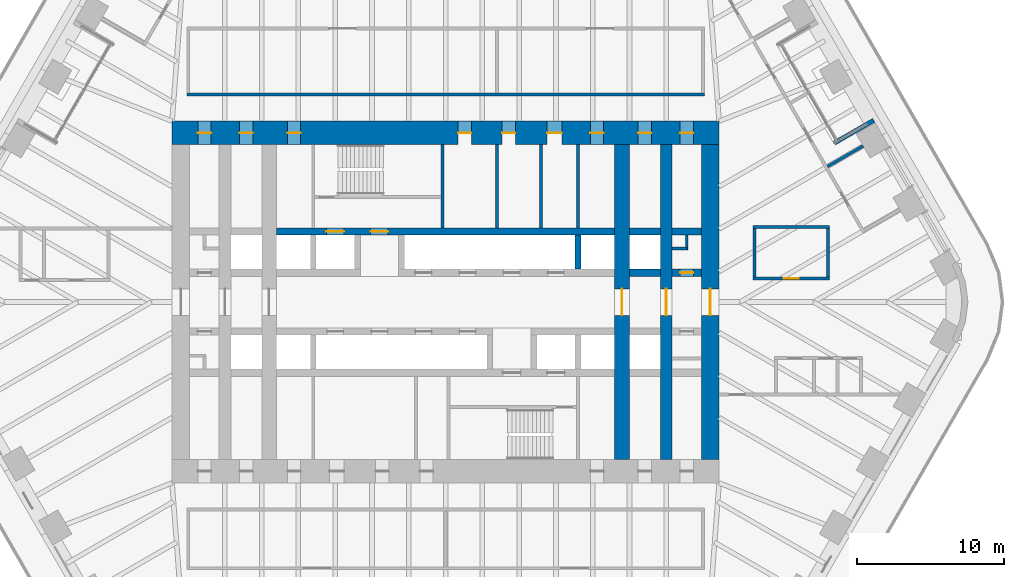
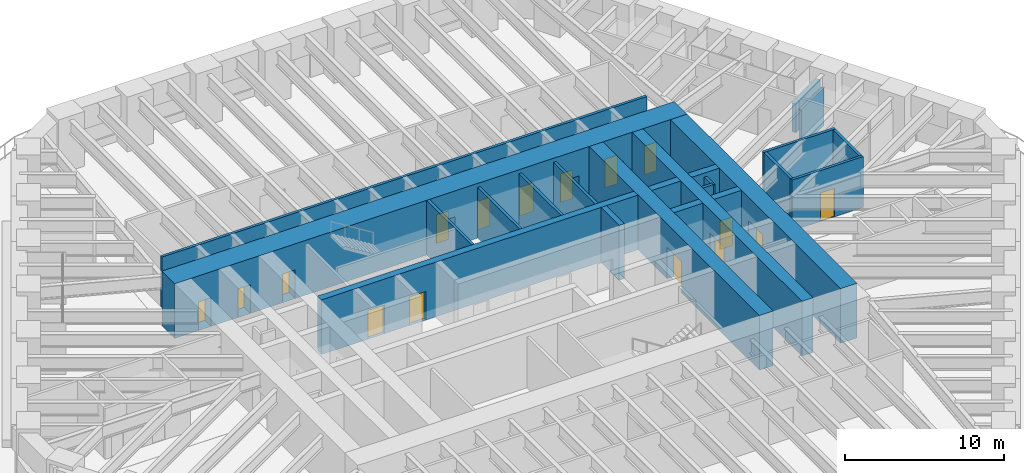
# One storey, part 15 of 19: 23 walls, 16 doors, 16 openings.
"""IFC4 building model written with IfcOpenShell, lengths in metres."""

import ifcopenshell
import ifcopenshell.guid

model = None  # the IFC model being written
_history = None  # IfcOwnerHistory: only IFC2X3 demands one
_inside = {}  # id of a spatial element -> (the spatial element, [elements in it])
_under = {}  # id of a project, library or spatial element -> (it, [spatial elements below it])
_declared = {}  # id of a project -> (the project, [libraries it declares])
_typed = {}  # id of a type object -> (the type object, [elements of that type])
_made_of = {}  # id of a material, layer set ... -> (it, [elements and type objects made of it])


def new_model(schema):
    """Start an empty IFC model of exactly this schema.

    Asked for "IFC4X3", IfcOpenShell would pick the latest addendum, in which some entities
    have other attributes; the version numbers below select the first issue.
    IFC2X3 requires an IfcOwnerHistory on every rooted entity: one is made here for all.
    """
    global model, _history
    if schema == "IFC4X3":
        model = ifcopenshell.file(schema_version=(4, 3, 0, 0))
    else:
        model = ifcopenshell.file(schema=schema)
    _inside.clear()
    _under.clear()
    _declared.clear()
    _typed.clear()
    _made_of.clear()
    _history = None
    if model.schema == "IFC2X3":
        org = make("IfcOrganization", Name="unknown")
        user = make(
            "IfcPersonAndOrganization",
            ThePerson=make("IfcPerson", FamilyName="unknown"),
            TheOrganization=org,
        )
        app = make(
            "IfcApplication",
            ApplicationDeveloper=org,
            Version="unknown",
            ApplicationFullName="unknown",
            ApplicationIdentifier="unknown",
        )
        _history = make(
            "IfcOwnerHistory",
            OwningUser=user,
            OwningApplication=app,
            ChangeAction="ADDED",
            CreationDate=0,
        )
    return model


def make(cls, **values):
    """One entity of the class cls with the attributes given. An attribute that is None is left unset."""
    return model.create_entity(
        cls, **{name: value for name, value in values.items() if value is not None}
    )


def rooted(cls, **values):
    """An entity with a GlobalId (a new one), such as an element, a storey or a relation."""
    return make(cls, GlobalId=ifcopenshell.guid.new(), OwnerHistory=_history, **values)


def si_unit(unit_type, name, prefix=None):
    """IfcSIUnit, for example si_unit("LENGTHUNIT", "METRE", prefix="MILLI")."""
    return make("IfcSIUnit", UnitType=unit_type, Prefix=prefix, Name=name)


def assignment(units):
    """IfcUnitAssignment: the units of a project."""
    return None if units is None else make("IfcUnitAssignment", Units=units)


def point(xyz):
    """IfcCartesianPoint."""
    return None if xyz is None else make("IfcCartesianPoint", Coordinates=xyz)


def direction(xyz):
    """IfcDirection."""
    return None if xyz is None else make("IfcDirection", DirectionRatios=xyz)


def frame(location, z_axis=None, x_axis=None):
    """IfcAxis2Placement3D, a coordinate frame: its origin and axes. An axis left out is left unset."""
    return make(
        "IfcAxis2Placement3D",
        Location=point(location),
        Axis=direction(z_axis),
        RefDirection=direction(x_axis),
    )


def frame_2d(location, x_axis=None):
    """IfcAxis2Placement2D, a coordinate frame in the plane: its origin and x axis."""
    return make(
        "IfcAxis2Placement2D", Location=point(location), RefDirection=direction(x_axis)
    )


def origin():
    """The frame at (0, 0, 0) with its axes left unset."""
    return frame((0.0, 0.0, 0.0))


def place(relative_to, where):
    """IfcLocalPlacement: puts the frame where relative to a parent placement (None: the world)."""
    return make(
        "IfcLocalPlacement", PlacementRelTo=relative_to, RelativePlacement=where
    )


def context(
    kind, dimensions, precision=None, world=None, true_north=None, identifier=None
):
    """IfcGeometricRepresentationContext, for example the 3D "Model" context."""
    return make(
        "IfcGeometricRepresentationContext",
        ContextIdentifier=identifier,
        ContextType=kind,
        CoordinateSpaceDimension=dimensions,
        Precision=precision,
        WorldCoordinateSystem=world,
        TrueNorth=true_north,
    )


def subcontext(parent, identifier, kind, view, scale=None):
    """IfcGeometricRepresentationSubContext, for example "Body" below "Model"."""
    return make(
        "IfcGeometricRepresentationSubContext",
        ContextIdentifier=identifier,
        ContextType=kind,
        ParentContext=parent,
        TargetScale=scale,
        TargetView=view,
    )


def project(units=None, contexts=None):
    """IfcProject with its units and contexts."""
    return rooted(
        "IfcProject",
        Name="project",
        RepresentationContexts=contexts,
        UnitsInContext=assignment(units),
    )


def spatial(cls, under=None, at=None, **own):
    """A site, building, storey or space (cls), placed at a placement, below another one or the project."""
    s = rooted(cls, ObjectPlacement=at, **own)
    if under is not None:
        _under.setdefault(under.id(), (under, []))[1].append(s)
    return s


def profile(cls, at=None, kind="AREA", **sizes):
    """A parametric profile (cls). Its sizes go by their IFC names, for example OverallWidth=200.0."""
    return make(cls, ProfileType=kind, Position=at, **sizes)


def rectangle(**sizes):
    """IfcRectangleProfileDef."""
    return profile("IfcRectangleProfileDef", **sizes)


def extrude(swept, where, along, depth):
    """IfcExtrudedAreaSolid: the profile swept, set in the frame where, extruded along a direction by depth."""
    return make(
        "IfcExtrudedAreaSolid",
        SweptArea=swept,
        Position=where,
        ExtrudedDirection=direction(along),
        Depth=depth,
    )


def shape(context_of_items, identifier, shape_type, items):
    """IfcShapeRepresentation: the items that make up one representation, for example the "Body"."""
    return make(
        "IfcShapeRepresentation",
        ContextOfItems=context_of_items,
        RepresentationIdentifier=identifier,
        RepresentationType=shape_type,
        Items=items,
    )


def material(Name=None, Category=None):
    """IfcMaterial."""
    return make("IfcMaterial", Name=Name, Category=Category)


def layer(
    of_material, thickness, ventilated=None, Name=None, Category=None, Priority=None
):
    """IfcMaterialLayer: one layer of a wall or slab, of a material (None: an air gap)."""
    return make(
        "IfcMaterialLayer",
        Material=of_material,
        LayerThickness=thickness,
        IsVentilated=ventilated,
        Name=Name,
        Category=Category,
        Priority=Priority,
    )


def layer_set(layers, Name=None):
    """IfcMaterialLayerSet."""
    return make("IfcMaterialLayerSet", MaterialLayers=layers, LayerSetName=Name)


def made_of(thing, what):
    """Note that an element or type object is made of a material, layer set ...; save() writes the relation."""
    if what is not None:
        _made_of.setdefault(what.id(), (what, []))[1].append(thing)
    return thing


def type_object(cls, material=None, **own):
    """A type object (cls), such as IfcWallType, which elements share."""
    return made_of(rooted(cls, **own), material)


def element(
    cls,
    number,
    at=None,
    inside=None,
    cuts=None,
    type_object=None,
    material=None,
    context=None,
    identifier="Body",
    shape_type=None,
    held_by="IfcProductDefinitionShape",
    body=None,
    shapes=None,
    **own,
):
    """One element of the class cls, such as IfcWall. Its Tag is "e" and its number.

    at: its placement. inside: the storey or other place that contains it. cuts: it is an
    opening in that element (IfcRelVoidsElement). A single representation is given by context,
    identifier, shape_type and body (its items); several are given by shapes. held_by: the class
    of the entity that holds the representations. save() writes the other relations.
    """
    e = rooted(cls, Tag="e%d" % number, ObjectPlacement=at, **own)
    if body is not None:
        shapes = [shape(context, identifier, shape_type, body)]
    if shapes is not None:
        e.Representation = make(held_by, Representations=shapes)
    if inside is not None:
        _inside.setdefault(inside.id(), (inside, []))[1].append(e)
    if cuts is not None:
        rooted(
            "IfcRelVoidsElement", RelatingBuildingElement=cuts, RelatedOpeningElement=e
        )
    if type_object is not None:
        _typed.setdefault(type_object.id(), (type_object, []))[1].append(e)
    return made_of(e, material)


def fill(opening, filler):
    """IfcRelFillsElement: the door or window that sits in an opening."""
    return rooted(
        "IfcRelFillsElement",
        RelatingOpeningElement=opening,
        RelatedBuildingElement=filler,
    )


def aggregate(whole, parts):
    """IfcRelAggregates: a whole, such as a stair, and the parts it consists of."""
    return rooted("IfcRelAggregates", RelatingObject=whole, RelatedObjects=parts)


def save(model, path):
    """Write the relations noted so far, then the file.

    IfcRelAggregates (storeys below a building ...), IfcRelContainedInSpatialStructure (elements
    in a storey), IfcRelDefinesByType, IfcRelAssociatesMaterial and IfcRelDeclares: one each for
    every whole, place, type object, material and project.
    """
    for whole, parts in _under.values():
        aggregate(whole, parts)
    for where, things in _inside.values():
        rooted(
            "IfcRelContainedInSpatialStructure",
            RelatedElements=things,
            RelatingStructure=where,
        )
    for kind, things in _typed.values():
        rooted("IfcRelDefinesByType", RelatedObjects=things, RelatingType=kind)
    for what, things in _made_of.values():
        rooted("IfcRelAssociatesMaterial", RelatedObjects=things, RelatingMaterial=what)
    for by, libraries in _declared.values():
        rooted("IfcRelDeclares", RelatingContext=by, RelatedDefinitions=libraries)
    model.write(path)


model = new_model("IFC4")

# Units and contexts
model_context = context("Model", 3, precision=1e-05, world=origin(), true_north=direction((0.0, 1.0)))
body_context = subcontext(model_context, "Body", "Model", "MODEL_VIEW")
ifc_project = project(units=[si_unit("LENGTHUNIT", "METRE"), si_unit("AREAUNIT", "SQUARE_METRE"), si_unit("VOLUMEUNIT", "CUBIC_METRE"), si_unit("PLANEANGLEUNIT", "RADIAN"), si_unit("MASSUNIT", "GRAM", prefix="KILO")], contexts=[model_context])

# Site, building, storey
site_placement = place(None, origin())
site = spatial("IfcSite", under=ifc_project, at=site_placement, CompositionType="ELEMENT")
building_placement = place(site_placement, origin())
building = spatial("IfcBuilding", under=site, at=building_placement, Name="Tarfa Lantern Tower", CompositionType="ELEMENT")
storey_placement = place(building_placement, frame((0.0, 0.0, 199.300048828125)))
storey = spatial("IfcBuildingStorey", under=building, at=storey_placement, Name="L45", CompositionType="ELEMENT", Elevation=199.300048828125)

# Walls
ifc_material_1 = material(Name="Limestone cladding on blockwork", Category="masonry")
ifc_layer_1 = layer(ifc_material_1, 0.300048828125)
ifc_layer_set_1 = layer_set([ifc_layer_1], Name="EW1 STONE-CLAD WALL 300")
wall_type_1 = type_object("IfcWallType", Name="EW1 STONE-CLAD WALL 300", PredefinedType="SOLIDWALL", material=ifc_layer_set_1)
wall_1_placement = place(storey_placement, frame((29.1201171875, 12.362548828125, 0.0), z_axis=(0.0, 0.0, 1.0), x_axis=(-0.86602952684, -0.49999285859, 0.0)))
element("IfcWall", 1, at=wall_1_placement, inside=storey, type_object=wall_type_1, Name="Loggia return NE 1", PredefinedType="SOLIDWALL", context=body_context, shape_type="SweptSolid", body=[
    extrude(rectangle(XDim=3.10009765625, YDim=0.300048828125, at=frame_2d((1.550048828125, 0.0))), origin(), (0.0, 0.0, 1.0), 2.199951171875),
])
ifc_material_2 = material(Name="Concrete blockwork", Category="masonry")
ifc_layer_2 = layer(ifc_material_2, 0.199951171875)
ifc_layer_set_2 = layer_set([ifc_layer_2], Name="IW1 BLOCKWORK PARTITION 200 EI 120")
wall_type_2 = type_object("IfcWallType", Name="IW1 BLOCKWORK PARTITION 200 EI 120", PredefinedType="PARTITIONING", material=ifc_layer_set_2)
for number, where, z_axis, x_axis, name in (
    (2, (9.0, 5.050048828125, 0.0), (0.0, 0.0, 1.0), (0.0, 1.0, 0.0), "Core partition"),
    (3, (3.5, 5.050048828125, 0.0), (0.0, 0.0, 1.0), (0.0, 1.0, 0.0), "Core partition"),
    (4, (6.5, 5.050048828125, 0.0), (0.0, 0.0, 1.0), (0.0, 1.0, 0.0), "Core partition"),
):
    element("IfcWall", number, at=place(storey_placement, frame(where, z_axis=z_axis, x_axis=x_axis)), inside=storey, type_object=wall_type_2, Name=name, PredefinedType="PARTITIONING", context=body_context, shape_type="SweptSolid", body=[
        extrude(rectangle(XDim=5.64990234375, YDim=0.199951171875, at=frame_2d((2.824951171875, 0.0))), origin(), (0.0, 0.0, 1.0), 3.89990234375),
    ])
for number, where, z_axis, x_axis, name in (
    (5, (15.39990234375, 3.64990234375, 0.0), (0.0, 0.0, 1.0), (1.0, 0.0, 0.0), "Core partition"),
    (6, (16.39990234375, 3.550048828125, 0.0), (0.0, 0.0, 1.0), (0.0, 1.0, 0.0), "Core partition"),
):
    element("IfcWall", number, at=place(storey_placement, frame(where, z_axis=z_axis, x_axis=x_axis)), inside=storey, type_object=wall_type_2, Name=name, PredefinedType="PARTITIONING", context=body_context, shape_type="SweptSolid", body=[
        extrude(rectangle(XDim=1.0, YDim=0.199951171875, at=frame_2d((0.5, 0.0))), origin(), (0.0, 0.0, 1.0), 3.89990234375),
    ])
ifc_material_3 = material(Name="Gypsum board on steel studs", Category="steel")
ifc_layer_3 = layer(ifc_material_3, 0.2099609375)
ifc_layer_set_3 = layer_set([ifc_layer_3], Name="IW2 ACOUSTIC PARTITION 200")
wall_type_3 = type_object("IfcWallType", Name="IW2 ACOUSTIC PARTITION 200", PredefinedType="PARTITIONING", material=ifc_layer_set_3)
wall_2_placement = place(storey_placement, frame((-17.60009765625, 14.10009765625, 0.0), z_axis=(0.0, 0.0, 1.0), x_axis=(1.0, 0.0, 0.0)))
element("IfcWall", 7, at=wall_2_placement, inside=storey, type_object=wall_type_3, Name="Partition", PredefinedType="PARTITIONING", context=body_context, shape_type="SweptSolid", body=[
    extrude(rectangle(XDim=35.2001953125, YDim=0.199951171875, at=frame_2d((17.60009765625, 0.0))), origin(), (0.0, 0.0, 1.0), 3.89990234375),
])
wall_3_placement = place(storey_placement, frame((25.97119140625, 9.216552734375, 0.0), z_axis=(0.0, 0.0, 1.0), x_axis=(0.865996816683, 0.500049511043, 0.0)))
element("IfcWall", 8, at=wall_3_placement, inside=storey, type_object=wall_type_3, Name="Partition", PredefinedType="PARTITIONING", context=body_context, shape_type="SweptSolid", body=[
    extrude(rectangle(XDim=2.800048828125, YDim=0.199951171875, at=frame_2d((1.39990234375, 0.0))), origin(), (0.0, 0.0, 1.0), 2.891845703125),
])

# Wall, opening, door
wall_4_placement = place(storey_placement, frame((20.89990234375, 1.60009765625, 0.0), z_axis=(0.0, 0.0, 1.0), x_axis=(1.0, 0.0, 0.0)))
wall_4 = element("IfcWall", 9, at=wall_4_placement, inside=storey, type_object=wall_type_3, Name="Partition", PredefinedType="PARTITIONING", context=body_context, shape_type="SweptSolid", body=[
    extrude(rectangle(XDim=5.2001953125, YDim=0.199951171875, at=frame_2d((2.60009765625, 0.0))), origin(), (0.0, 0.0, 1.0), 3.89990234375),
])
opening_1_placement = place(wall_4_placement, frame((2.10009765625, 0.0, 0.0)))
opening_1 = element("IfcOpeningElement", 10, at=opening_1_placement, cuts=wall_4, Name="Opening D33", PredefinedType="OPENING", context=body_context, shape_type="SweptSolid", body=[
    extrude(rectangle(XDim=1.0, YDim=2.199951171875, at=frame_2d((0.5, 1.10009765625))), frame((0.0, 0.10986328125, 0.0), z_axis=(0.0, -1.0, 0.0), x_axis=(1.0, 0.0, 0.0)), (0.0, 0.0, 1.0), 0.219970703125),
])
ifc_material_4 = material(Name="Timber door", Category="wood")
door_type_1 = type_object("IfcDoorType", Name="DR1 ROOM DOOR 1000x2200", OperationType="SINGLE_SWING_LEFT", PredefinedType="DOOR", material=ifc_material_4)
door_1_placement = place(opening_1_placement, origin())
door_1 = element("IfcDoor", 11, at=door_1_placement, inside=storey, type_object=door_type_1, Name="Project room door", OperationType="SINGLE_SWING_RIGHT", OverallHeight=2.199951171875, OverallWidth=1.0, PredefinedType="DOOR", context=body_context, shape_type="SweptSolid", body=[
    extrude(rectangle(XDim=1.0, YDim=2.199951171875, at=frame_2d((0.5, 1.10009765625))), frame((0.0, 0.02490234375, 0.0), z_axis=(0.0, -1.0, 0.0), x_axis=(1.0, 0.0, 0.0)), (0.0, 0.0, 1.0), 0.050048828125),
])
fill(opening_1, door_1)

# Walls
wall_5_placement = place(storey_placement, frame((20.89990234375, 5.10009765625, 0.0), z_axis=(0.0, 0.0, 1.0), x_axis=(1.0, 0.0, 0.0)))
element("IfcWall", 12, at=wall_5_placement, inside=storey, type_object=wall_type_3, Name="Partition", PredefinedType="PARTITIONING", context=body_context, shape_type="SweptSolid", body=[
    extrude(rectangle(XDim=5.2001953125, YDim=0.199951171875, at=frame_2d((2.60009765625, 0.0))), origin(), (0.0, 0.0, 1.0), 3.89990234375),
])
for number, where, z_axis, x_axis, name in (
    (13, (21.0, 1.699951171875, 0.0), (0.0, 0.0, 1.0), (0.0, 1.0, 0.0), "Partition"),
    (14, (26.0, 1.699951171875, 0.0), (0.0, 0.0, 1.0), (0.0, 1.0, 0.0), "Partition"),
):
    element("IfcWall", number, at=place(storey_placement, frame(where, z_axis=z_axis, x_axis=x_axis)), inside=storey, type_object=wall_type_3, Name=name, PredefinedType="PARTITIONING", context=body_context, shape_type="SweptSolid", body=[
        extrude(rectangle(XDim=3.300048828125, YDim=0.199951171875, at=frame_2d((1.64990234375, 0.0))), origin(), (0.0, 0.0, 1.0), 3.89990234375),
    ])

# Wall, opening, door
ifc_material_5 = material(Name="Concrete C80/95", Category="concrete")
ifc_layer_4 = layer(ifc_material_5, 1.199951171875)
ifc_layer_set_4 = layer_set([ifc_layer_4], Name="SW1 CORE WALL 1200")
wall_type_4 = type_object("IfcWallType", Name="SW1 CORE WALL 1200", PredefinedType="SHEAR", material=ifc_layer_set_4)
wall_6_placement = place(storey_placement, frame((18.0, -10.699951171875, 0.0), z_axis=(0.0, 0.0, 1.0), x_axis=(0.0, 1.0, 0.0)))
wall_6 = element("IfcWall", 15, at=wall_6_placement, inside=storey, type_object=wall_type_4, Name="Core wall E", PredefinedType="SHEAR", context=body_context, shape_type="SweptSolid", body=[
    extrude(rectangle(XDim=21.39990234375, YDim=1.199951171875, at=frame_2d((10.699951171875, 0.0))), origin(), (0.0, 0.0, 1.0), 4.199951171875),
])
opening_2_placement = place(wall_6_placement, frame((9.800048828125, 0.0, 0.0)))
opening_2 = element("IfcOpeningElement", 16, at=opening_2_placement, cuts=wall_6, Name="Opening D15", PredefinedType="OPENING", context=body_context, shape_type="SweptSolid", body=[
    extrude(rectangle(XDim=1.800048828125, YDim=2.39990234375, at=frame_2d((0.89990234375, 1.199951171875))), frame((0.0, 0.60986328125, 0.0), z_axis=(0.0, -1.0, 0.0), x_axis=(1.0, 0.0, 0.0)), (0.0, 0.0, 1.0), 1.219970703125),
])
ifc_material_6 = material(Name="Steel fire door", Category="steel")
door_type_2 = type_object("IfcDoorType", Name="DL1 LOBBY DOOR 1800x2400", OperationType="DOUBLE_DOOR_SINGLE_SWING", PredefinedType="DOOR", material=ifc_material_6)
door_2_placement = place(opening_2_placement, frame((1.800048828125, 0.0, 0.0), z_axis=(0.0, 0.0, 1.0), x_axis=(-1.0, 0.0, 0.0)))
door_2 = element("IfcDoor", 17, at=door_2_placement, inside=storey, type_object=door_type_2, Name="Lift lobby door", OperationType="DOUBLE_DOOR_SINGLE_SWING", OverallHeight=2.39990234375, OverallWidth=1.800048828125, PredefinedType="DOOR", context=body_context, shape_type="SweptSolid", body=[
    extrude(rectangle(XDim=1.800048828125, YDim=2.39990234375, at=frame_2d((0.89990234375, 1.199951171875))), frame((0.0, 0.02490234375, 0.0), z_axis=(0.0, -1.0, 0.0), x_axis=(1.0, 0.0, 0.0)), (0.0, 0.0, 1.0), 0.050048828125),
])
fill(opening_2, door_2)

ifc_layer_5 = layer(ifc_material_5, 0.800048828125)
ifc_layer_set_5 = layer_set([ifc_layer_5], Name="SW10 CORE WALL 800")
wall_type_5 = type_object("IfcWallType", Name="SW10 CORE WALL 800", PredefinedType="SHEAR", material=ifc_layer_set_5)
wall_7_placement = place(storey_placement, frame((15.0, -10.699951171875, 0.0), z_axis=(0.0, 0.0, 1.0), x_axis=(0.0, 1.0, 0.0)))
wall_7 = element("IfcWall", 18, at=wall_7_placement, inside=storey, type_object=wall_type_5, Name="Core wall cross 15 m east", PredefinedType="SHEAR", context=body_context, shape_type="SweptSolid", body=[
    extrude(rectangle(XDim=21.39990234375, YDim=0.800048828125, at=frame_2d((10.699951171875, 0.0))), origin(), (0.0, 0.0, 1.0), 4.199951171875),
])
opening_3_placement = place(wall_7_placement, frame((9.800048828125, 0.0, 0.0)))
opening_3 = element("IfcOpeningElement", 19, at=opening_3_placement, cuts=wall_7, Name="Opening D30", PredefinedType="OPENING", context=body_context, shape_type="SweptSolid", body=[
    extrude(rectangle(XDim=1.800048828125, YDim=2.39990234375, at=frame_2d((0.89990234375, 1.199951171875))), frame((0.0, 0.409912109375, 0.0), z_axis=(0.0, -1.0, 0.0), x_axis=(1.0, 0.0, 0.0)), (0.0, 0.0, 1.0), 0.820068359375),
])
door_3_placement = place(opening_3_placement, origin())
door_3 = element("IfcDoor", 20, at=door_3_placement, inside=storey, type_object=door_type_2, Name="Lift lobby door", OperationType="DOUBLE_DOOR_SINGLE_SWING", OverallHeight=2.39990234375, OverallWidth=1.800048828125, PredefinedType="DOOR", context=body_context, shape_type="SweptSolid", body=[
    extrude(rectangle(XDim=1.800048828125, YDim=2.39990234375, at=frame_2d((0.89990234375, 1.199951171875))), frame((0.0, 0.02490234375, 0.0), z_axis=(0.0, -1.0, 0.0), x_axis=(1.0, 0.0, 0.0)), (0.0, 0.0, 1.0), 0.050048828125),
])
fill(opening_3, door_3)

# Wall
ifc_layer_6 = layer(ifc_material_5, 0.199951171875)
ifc_layer_set_6 = layer_set([ifc_layer_6], Name="SW12 CORE WALL 200")
wall_type_6 = type_object("IfcWallType", Name="SW12 CORE WALL 200", PredefinedType="SHEAR", material=ifc_layer_set_6)
wall_8_placement = place(storey_placement, frame((-0.199951171875, 5.050048828125, 0.0), z_axis=(0.0, 0.0, 1.0), x_axis=(0.0, 1.0, 0.0)))
element("IfcWall", 21, at=wall_8_placement, inside=storey, type_object=wall_type_6, Name="Core wall stair shaft N", PredefinedType="SHEAR", context=body_context, shape_type="SweptSolid", body=[
    extrude(rectangle(XDim=5.64990234375, YDim=0.199951171875, at=frame_2d((2.824951171875, 0.0))), origin(), (0.0, 0.0, 1.0), 4.199951171875),
])

# Wall, opening, door
ifc_layer_7 = layer(ifc_material_5, 1.0)
ifc_layer_set_7 = layer_set([ifc_layer_7], Name="SW2 CORE WALL 1000")
wall_type_7 = type_object("IfcWallType", Name="SW2 CORE WALL 1000", PredefinedType="SHEAR", material=ifc_layer_set_7)
wall_9_placement = place(storey_placement, frame((12.0, -10.699951171875, 0.0), z_axis=(0.0, 0.0, 1.0), x_axis=(0.0, 1.0, 0.0)))
wall_9 = element("IfcWall", 22, at=wall_9_placement, inside=storey, type_object=wall_type_7, Name="Core wall cross 12 m east", PredefinedType="SHEAR", context=body_context, shape_type="SweptSolid", body=[
    extrude(rectangle(XDim=21.39990234375, YDim=1.0, at=frame_2d((10.699951171875, 0.0))), origin(), (0.0, 0.0, 1.0), 4.199951171875),
])
opening_4_placement = place(wall_9_placement, frame((9.800048828125, 0.0, 0.0)))
opening_4 = element("IfcOpeningElement", 23, at=opening_4_placement, cuts=wall_9, Name="Opening D29", PredefinedType="OPENING", context=body_context, shape_type="SweptSolid", body=[
    extrude(rectangle(XDim=1.800048828125, YDim=2.39990234375, at=frame_2d((0.89990234375, 1.199951171875))), frame((0.0, 0.510009765625, 0.0), z_axis=(0.0, -1.0, 0.0), x_axis=(1.0, 0.0, 0.0)), (0.0, 0.0, 1.0), 1.02001953125),
])
door_4_placement = place(opening_4_placement, origin())
door_4 = element("IfcDoor", 24, at=door_4_placement, inside=storey, type_object=door_type_2, Name="Lift lobby door", OperationType="DOUBLE_DOOR_SINGLE_SWING", OverallHeight=2.39990234375, OverallWidth=1.800048828125, PredefinedType="DOOR", context=body_context, shape_type="SweptSolid", body=[
    extrude(rectangle(XDim=1.800048828125, YDim=2.39990234375, at=frame_2d((0.89990234375, 1.199951171875))), frame((0.0, 0.02490234375, 0.0), z_axis=(0.0, -1.0, 0.0), x_axis=(1.0, 0.0, 0.0)), (0.0, 0.0, 1.0), 0.050048828125),
])
fill(opening_4, door_4)

# Wall
ifc_layer_8 = layer(ifc_material_5, 0.5)
ifc_layer_set_8 = layer_set([ifc_layer_8], Name="SW5 CORE WALL 500")
wall_type_8 = type_object("IfcWallType", Name="SW5 CORE WALL 500", PredefinedType="SHEAR", material=ifc_layer_set_8)
wall_10_placement = place(storey_placement, frame((12.5, 2.0, 0.0), z_axis=(0.0, 0.0, 1.0), x_axis=(1.0, 0.0, 0.0)))
element("IfcWall", 25, at=wall_10_placement, inside=storey, type_object=wall_type_8, Name="Core wall lobby east N", PredefinedType="SHEAR", context=body_context, shape_type="SweptSolid", body=[
    extrude(rectangle(XDim=2.10009765625, YDim=0.5, at=frame_2d((1.050048828125, 0.0))), origin(), (0.0, 0.0, 1.0), 4.199951171875),
])

# Wall, opening, door
wall_11_placement = place(storey_placement, frame((15.39990234375, 2.0, 0.0), z_axis=(0.0, 0.0, 1.0), x_axis=(1.0, 0.0, 0.0)))
wall_11 = element("IfcWall", 26, at=wall_11_placement, inside=storey, type_object=wall_type_8, Name="Core wall lobby east N", PredefinedType="SHEAR", context=body_context, shape_type="SweptSolid", body=[
    extrude(rectangle(XDim=2.0, YDim=0.5, at=frame_2d((1.0, 0.0))), origin(), (0.0, 0.0, 1.0), 4.199951171875),
])
opening_5_placement = place(wall_11_placement, frame((0.550048828125, 0.0, 0.0)))
opening_5 = element("IfcOpeningElement", 27, at=opening_5_placement, cuts=wall_11, Name="Opening D17", PredefinedType="OPENING", context=body_context, shape_type="SweptSolid", body=[
    extrude(rectangle(XDim=0.89990234375, YDim=2.199951171875, at=frame_2d((0.449951171875, 1.10009765625))), frame((0.0, 0.260009765625, 0.0), z_axis=(0.0, -1.0, 0.0), x_axis=(1.0, 0.0, 0.0)), (0.0, 0.0, 1.0), 0.52001953125),
])
door_type_3 = type_object("IfcDoorType", Name="DF6 SERVICE ROOM DOOR 900x2200", OperationType="SINGLE_SWING_LEFT", PredefinedType="DOOR", material=ifc_material_6)
door_5_placement = place(opening_5_placement, origin())
door_5 = element("IfcDoor", 28, at=door_5_placement, inside=storey, type_object=door_type_3, Name="Service room door", OperationType="SINGLE_SWING_LEFT", OverallHeight=2.199951171875, OverallWidth=0.89990234375, PredefinedType="DOOR", context=body_context, shape_type="SweptSolid", body=[
    extrude(rectangle(XDim=0.89990234375, YDim=2.199951171875, at=frame_2d((0.449951171875, 1.10009765625))), frame((0.0, 0.02490234375, 0.0), z_axis=(0.0, -1.0, 0.0), x_axis=(1.0, 0.0, 0.0)), (0.0, 0.0, 1.0), 0.050048828125),
])
fill(opening_5, door_5)

# Wall, openings, doors
wall_12_placement = place(storey_placement, frame((-11.5, 4.800048828125, 0.0), z_axis=(0.0, 0.0, 1.0), x_axis=(1.0, 0.0, 0.0)))
wall_12 = element("IfcWall", 29, at=wall_12_placement, inside=storey, type_object=wall_type_8, Name="Core wall rear N", PredefinedType="SHEAR", context=body_context, shape_type="SweptSolid", body=[
    extrude(rectangle(XDim=23.0, YDim=0.5, at=frame_2d((11.5, 0.0))), origin(), (0.0, 0.0, 1.0), 4.199951171875),
])
opening_6_placement = place(wall_12_placement, frame((6.39990234375, 0.0, 0.0)))
opening_6 = element("IfcOpeningElement", 30, at=opening_6_placement, cuts=wall_12, Name="Opening D13", PredefinedType="OPENING", context=body_context, shape_type="SweptSolid", body=[
    extrude(rectangle(XDim=1.199951171875, YDim=2.199951171875, at=frame_2d((0.60009765625, 1.10009765625))), frame((0.0, 0.260009765625, 0.0), z_axis=(0.0, -1.0, 0.0), x_axis=(1.0, 0.0, 0.0)), (0.0, 0.0, 1.0), 0.52001953125),
])
opening_7_placement = place(wall_12_placement, frame((3.39990234375, 0.0, 0.0)))
opening_7 = element("IfcOpeningElement", 31, at=opening_7_placement, cuts=wall_12, Name="Opening LD01", PredefinedType="OPENING", context=body_context, shape_type="SweptSolid", body=[
    extrude(rectangle(XDim=1.199951171875, YDim=2.199951171875, at=frame_2d((0.60009765625, 1.10009765625))), frame((0.0, 0.260009765625, 0.0), z_axis=(0.0, -1.0, 0.0), x_axis=(1.0, 0.0, 0.0)), (0.0, 0.0, 1.0), 0.52001953125),
])
door_type_4 = type_object("IfcDoorType", Name="DF1 FIREFIGHTING LOBBY DOOR 1200x2200", OperationType="SINGLE_SWING_LEFT", PredefinedType="DOOR", material=ifc_material_6)
door_6_placement = place(opening_6_placement, origin())
door_6 = element("IfcDoor", 32, at=door_6_placement, inside=storey, type_object=door_type_4, Name="Firefighting lobby door", OperationType="SINGLE_SWING_LEFT", OverallHeight=2.199951171875, OverallWidth=1.199951171875, PredefinedType="DOOR", context=body_context, shape_type="SweptSolid", body=[
    extrude(rectangle(XDim=1.199951171875, YDim=2.199951171875, at=frame_2d((0.60009765625, 1.10009765625))), frame((0.0, 0.02490234375, 0.0), z_axis=(0.0, -1.0, 0.0), x_axis=(1.0, 0.0, 0.0)), (0.0, 0.0, 1.0), 0.050048828125),
])
fill(opening_6, door_6)
ifc_material_7 = material(Name="Stainless steel lift door", Category="steel")
door_type_5 = type_object("IfcDoorType", Name="LD1 LIFT LANDING DOOR 1200x2200", OperationType="SLIDING_TO_LEFT", PredefinedType="DOOR", material=ifc_material_7)
door_7_placement = place(opening_7_placement, origin())
door_7 = element("IfcDoor", 33, at=door_7_placement, inside=storey, type_object=door_type_5, Name="Landing door FL1", OperationType="SLIDING_TO_LEFT", OverallHeight=2.199951171875, OverallWidth=1.199951171875, PredefinedType="DOOR", context=body_context, shape_type="SweptSolid", body=[
    extrude(rectangle(XDim=1.199951171875, YDim=2.199951171875, at=frame_2d((0.60009765625, 1.10009765625))), frame((0.0, 0.02490234375, 0.0), z_axis=(0.0, -1.0, 0.0), x_axis=(1.0, 0.0, 0.0)), (0.0, 0.0, 1.0), 0.050048828125),
])
fill(opening_7, door_7)

# Walls
wall_13_placement = place(storey_placement, frame((12.5, 4.800048828125, 0.0), z_axis=(0.0, 0.0, 1.0), x_axis=(1.0, 0.0, 0.0)))
element("IfcWall", 34, at=wall_13_placement, inside=storey, type_object=wall_type_8, Name="Core wall rear N", PredefinedType="SHEAR", context=body_context, shape_type="SweptSolid", body=[
    extrude(rectangle(XDim=2.10009765625, YDim=0.5, at=frame_2d((1.050048828125, 0.0))), origin(), (0.0, 0.0, 1.0), 4.199951171875),
])
wall_14_placement = place(storey_placement, frame((15.39990234375, 4.800048828125, 0.0), z_axis=(0.0, 0.0, 1.0), x_axis=(1.0, 0.0, 0.0)))
element("IfcWall", 35, at=wall_14_placement, inside=storey, type_object=wall_type_8, Name="Core wall rear N", PredefinedType="SHEAR", context=body_context, shape_type="SweptSolid", body=[
    extrude(rectangle(XDim=2.0, YDim=0.5, at=frame_2d((1.0, 0.0))), origin(), (0.0, 0.0, 1.0), 4.199951171875),
])
ifc_layer_9 = layer(ifc_material_5, 0.39990234375)
ifc_layer_set_9 = layer_set([ifc_layer_9], Name="SW6 CORE WALL 400")
wall_type_9 = type_object("IfcWallType", Name="SW6 CORE WALL 400", PredefinedType="SHEAR", material=ifc_layer_set_9)
wall_15_placement = place(storey_placement, frame((9.0, 2.25, 0.0), z_axis=(0.0, 0.0, 1.0), x_axis=(0.0, 1.0, 0.0)))
element("IfcWall", 36, at=wall_15_placement, inside=storey, type_object=wall_type_9, Name="Core wall divider N", PredefinedType="SHEAR", context=body_context, shape_type="SweptSolid", body=[
    extrude(rectangle(XDim=2.300048828125, YDim=0.39990234375, at=frame_2d((1.14990234375, 0.0))), origin(), (0.0, 0.0, 1.0), 4.199951171875),
])

# Wall, openings, doors
ifc_layer_10 = layer(ifc_material_5, 1.60009765625)
ifc_layer_set_10 = layer_set([ifc_layer_10], Name="SW7 CORE WALL 1600")
wall_type_10 = type_object("IfcWallType", Name="SW7 CORE WALL 1600", PredefinedType="SHEAR", material=ifc_layer_set_10)
wall_16_placement = place(storey_placement, frame((-18.60009765625, 11.5, 0.0), z_axis=(0.0, 0.0, 1.0), x_axis=(1.0, 0.0, 0.0)))
wall_16 = element("IfcWall", 37, at=wall_16_placement, inside=storey, type_object=wall_type_10, Name="Core wall N", PredefinedType="SHEAR", context=body_context, shape_type="SweptSolid", body=[
    extrude(rectangle(XDim=37.2001953125, YDim=1.60009765625, at=frame_2d((18.60009765625, 0.0))), origin(), (0.0, 0.0, 1.0), 4.199951171875),
])
opening_8_placement = place(wall_16_placement, frame((19.449951171875, 0.0, 0.0)))
opening_8 = element("IfcOpeningElement", 38, at=opening_8_placement, cuts=wall_16, Name="Opening D21", PredefinedType="OPENING", context=body_context, shape_type="SweptSolid", body=[
    extrude(rectangle(XDim=0.89990234375, YDim=2.199951171875, at=frame_2d((0.449951171875, 1.10009765625))), frame((0.0, 0.81005859375, 0.0), z_axis=(0.0, -1.0, 0.0), x_axis=(1.0, 0.0, 0.0)), (0.0, 0.0, 1.0), 1.6201171875),
])
opening_9_placement = place(wall_16_placement, frame((22.449951171875, 0.0, 0.0)))
opening_9 = element("IfcOpeningElement", 39, at=opening_9_placement, cuts=wall_16, Name="Opening D23", PredefinedType="OPENING", context=body_context, shape_type="SweptSolid", body=[
    extrude(rectangle(XDim=0.89990234375, YDim=2.199951171875, at=frame_2d((0.449951171875, 1.10009765625))), frame((0.0, 0.81005859375, 0.0), z_axis=(0.0, -1.0, 0.0), x_axis=(1.0, 0.0, 0.0)), (0.0, 0.0, 1.0), 1.6201171875),
])
opening_10_placement = place(wall_16_placement, frame((25.5, 0.0, 0.0)))
opening_10 = element("IfcOpeningElement", 40, at=opening_10_placement, cuts=wall_16, Name="Opening D25", PredefinedType="OPENING", context=body_context, shape_type="SweptSolid", body=[
    extrude(rectangle(XDim=1.0, YDim=2.199951171875, at=frame_2d((0.5, 1.10009765625))), frame((0.0, 0.81005859375, 0.0), z_axis=(0.0, -1.0, 0.0), x_axis=(1.0, 0.0, 0.0)), (0.0, 0.0, 1.0), 1.6201171875),
])
opening_11_placement = place(wall_16_placement, frame((1.75, 0.0, 0.0)))
opening_11 = element("IfcOpeningElement", 41, at=opening_11_placement, cuts=wall_16, Name="Opening D11", PredefinedType="OPENING", context=body_context, shape_type="SweptSolid", body=[
    extrude(rectangle(XDim=0.89990234375, YDim=2.199951171875, at=frame_2d((0.449951171875, 1.10009765625))), frame((0.0, 0.81005859375, 0.0), z_axis=(0.0, -1.0, 0.0), x_axis=(1.0, 0.0, 0.0)), (0.0, 0.0, 1.0), 1.6201171875),
])
opening_12_placement = place(wall_16_placement, frame((4.60009765625, 0.0, 0.0)))
opening_12 = element("IfcOpeningElement", 42, at=opening_12_placement, cuts=wall_16, Name="Opening D07", PredefinedType="OPENING", context=body_context, shape_type="SweptSolid", body=[
    extrude(rectangle(XDim=0.89990234375, YDim=2.199951171875, at=frame_2d((0.449951171875, 1.10009765625))), frame((0.0, 0.81005859375, 0.0), z_axis=(0.0, -1.0, 0.0), x_axis=(1.0, 0.0, 0.0)), (0.0, 0.0, 1.0), 1.6201171875),
])
opening_13_placement = place(wall_16_placement, frame((7.85009765625, 0.0, 0.0)))
opening_13 = element("IfcOpeningElement", 43, at=opening_13_placement, cuts=wall_16, Name="Opening D09", PredefinedType="OPENING", context=body_context, shape_type="SweptSolid", body=[
    extrude(rectangle(XDim=0.89990234375, YDim=2.199951171875, at=frame_2d((0.449951171875, 1.10009765625))), frame((0.0, 0.81005859375, 0.0), z_axis=(0.0, -1.0, 0.0), x_axis=(1.0, 0.0, 0.0)), (0.0, 0.0, 1.0), 1.6201171875),
])
opening_14_placement = place(wall_16_placement, frame((28.449951171875, 0.0, 0.0)))
opening_14 = element("IfcOpeningElement", 44, at=opening_14_placement, cuts=wall_16, Name="Opening D05", PredefinedType="OPENING", context=body_context, shape_type="SweptSolid", body=[
    extrude(rectangle(XDim=0.89990234375, YDim=2.199951171875, at=frame_2d((0.449951171875, 1.10009765625))), frame((0.0, 0.81005859375, 0.0), z_axis=(0.0, -1.0, 0.0), x_axis=(1.0, 0.0, 0.0)), (0.0, 0.0, 1.0), 1.6201171875),
])
opening_15_placement = place(wall_16_placement, frame((31.699951171875, 0.0, 0.0)))
opening_15 = element("IfcOpeningElement", 45, at=opening_15_placement, cuts=wall_16, Name="Opening D01", PredefinedType="OPENING", context=body_context, shape_type="SweptSolid", body=[
    extrude(rectangle(XDim=0.89990234375, YDim=2.199951171875, at=frame_2d((0.449951171875, 1.10009765625))), frame((0.0, 0.81005859375, 0.0), z_axis=(0.0, -1.0, 0.0), x_axis=(1.0, 0.0, 0.0)), (0.0, 0.0, 1.0), 1.6201171875),
])
opening_16_placement = place(wall_16_placement, frame((34.550048828125, 0.0, 0.0)))
opening_16 = element("IfcOpeningElement", 46, at=opening_16_placement, cuts=wall_16, Name="Opening D03", PredefinedType="OPENING", context=body_context, shape_type="SweptSolid", body=[
    extrude(rectangle(XDim=0.89990234375, YDim=2.199951171875, at=frame_2d((0.449951171875, 1.10009765625))), frame((0.0, 0.81005859375, 0.0), z_axis=(0.0, -1.0, 0.0), x_axis=(1.0, 0.0, 0.0)), (0.0, 0.0, 1.0), 1.6201171875),
])
door_type_6 = type_object("IfcDoorType", Name="DF3 CORE ROOM DOOR 900x2200", OperationType="SINGLE_SWING_LEFT", PredefinedType="DOOR", material=ifc_material_6)
door_8_placement = place(opening_8_placement, frame((0.89990234375, 0.0, 0.0), z_axis=(0.0, 0.0, 1.0), x_axis=(-1.0, 0.0, 0.0)))
door_8 = element("IfcDoor", 47, at=door_8_placement, inside=storey, type_object=door_type_6, Name="Core door", OperationType="SINGLE_SWING_LEFT", OverallHeight=2.199951171875, OverallWidth=0.89990234375, PredefinedType="DOOR", context=body_context, shape_type="SweptSolid", body=[
    extrude(rectangle(XDim=0.89990234375, YDim=2.199951171875, at=frame_2d((0.449951171875, 1.10009765625))), frame((0.0, 0.02490234375, 0.0), z_axis=(0.0, -1.0, 0.0), x_axis=(1.0, 0.0, 0.0)), (0.0, 0.0, 1.0), 0.050048828125),
])
fill(opening_8, door_8)
door_9_placement = place(opening_9_placement, frame((0.89990234375, 0.0, 0.0), z_axis=(0.0, 0.0, 1.0), x_axis=(-1.0, 0.0, 0.0)))
door_9 = element("IfcDoor", 48, at=door_9_placement, inside=storey, type_object=door_type_6, Name="Core door", OperationType="SINGLE_SWING_LEFT", OverallHeight=2.199951171875, OverallWidth=0.89990234375, PredefinedType="DOOR", context=body_context, shape_type="SweptSolid", body=[
    extrude(rectangle(XDim=0.89990234375, YDim=2.199951171875, at=frame_2d((0.449951171875, 1.10009765625))), frame((0.0, 0.02490234375, 0.0), z_axis=(0.0, -1.0, 0.0), x_axis=(1.0, 0.0, 0.0)), (0.0, 0.0, 1.0), 0.050048828125),
])
fill(opening_9, door_9)
door_type_7 = type_object("IfcDoorType", Name="DF4 CORE ROOM DOOR 1000x2200", OperationType="SINGLE_SWING_LEFT", PredefinedType="DOOR", material=ifc_material_6)
door_10_placement = place(opening_10_placement, frame((1.0, 0.0, 0.0), z_axis=(0.0, 0.0, 1.0), x_axis=(-1.0, 0.0, 0.0)))
door_10 = element("IfcDoor", 49, at=door_10_placement, inside=storey, type_object=door_type_7, Name="Core door", OperationType="SINGLE_SWING_LEFT", OverallHeight=2.199951171875, OverallWidth=1.0, PredefinedType="DOOR", context=body_context, shape_type="SweptSolid", body=[
    extrude(rectangle(XDim=1.0, YDim=2.199951171875, at=frame_2d((0.5, 1.10009765625))), frame((0.0, 0.02490234375, 0.0), z_axis=(0.0, -1.0, 0.0), x_axis=(1.0, 0.0, 0.0)), (0.0, 0.0, 1.0), 0.050048828125),
])
fill(opening_10, door_10)
door_type_8 = type_object("IfcDoorType", Name="DF5 RISER DOOR 900x2200", OperationType="SINGLE_SWING_LEFT", PredefinedType="DOOR", material=ifc_material_6)
door_11_placement = place(opening_11_placement, frame((0.89990234375, 0.0, 0.0), z_axis=(0.0, 0.0, 1.0), x_axis=(-1.0, 0.0, 0.0)))
door_11 = element("IfcDoor", 50, at=door_11_placement, inside=storey, type_object=door_type_8, Name="Riser door", OperationType="SINGLE_SWING_LEFT", OverallHeight=2.199951171875, OverallWidth=0.89990234375, PredefinedType="DOOR", context=body_context, shape_type="SweptSolid", body=[
    extrude(rectangle(XDim=0.89990234375, YDim=2.199951171875, at=frame_2d((0.449951171875, 1.10009765625))), frame((0.0, 0.02490234375, 0.0), z_axis=(0.0, -1.0, 0.0), x_axis=(1.0, 0.0, 0.0)), (0.0, 0.0, 1.0), 0.050048828125),
])
fill(opening_11, door_11)
door_12_placement = place(opening_12_placement, frame((0.89990234375, 0.0, 0.0), z_axis=(0.0, 0.0, 1.0), x_axis=(-1.0, 0.0, 0.0)))
door_12 = element("IfcDoor", 51, at=door_12_placement, inside=storey, type_object=door_type_8, Name="Riser door", OperationType="SINGLE_SWING_LEFT", OverallHeight=2.199951171875, OverallWidth=0.89990234375, PredefinedType="DOOR", context=body_context, shape_type="SweptSolid", body=[
    extrude(rectangle(XDim=0.89990234375, YDim=2.199951171875, at=frame_2d((0.449951171875, 1.10009765625))), frame((0.0, 0.02490234375, 0.0), z_axis=(0.0, -1.0, 0.0), x_axis=(1.0, 0.0, 0.0)), (0.0, 0.0, 1.0), 0.050048828125),
])
fill(opening_12, door_12)
door_13_placement = place(opening_13_placement, frame((0.89990234375, 0.0, 0.0), z_axis=(0.0, 0.0, 1.0), x_axis=(-1.0, 0.0, 0.0)))
door_13 = element("IfcDoor", 52, at=door_13_placement, inside=storey, type_object=door_type_8, Name="Riser door", OperationType="SINGLE_SWING_LEFT", OverallHeight=2.199951171875, OverallWidth=0.89990234375, PredefinedType="DOOR", context=body_context, shape_type="SweptSolid", body=[
    extrude(rectangle(XDim=0.89990234375, YDim=2.199951171875, at=frame_2d((0.449951171875, 1.10009765625))), frame((0.0, 0.02490234375, 0.0), z_axis=(0.0, -1.0, 0.0), x_axis=(1.0, 0.0, 0.0)), (0.0, 0.0, 1.0), 0.050048828125),
])
fill(opening_13, door_13)
door_14_placement = place(opening_14_placement, frame((0.89990234375, 0.0, 0.0), z_axis=(0.0, 0.0, 1.0), x_axis=(-1.0, 0.0, 0.0)))
door_14 = element("IfcDoor", 53, at=door_14_placement, inside=storey, type_object=door_type_8, Name="Riser door", OperationType="SINGLE_SWING_RIGHT", OverallHeight=2.199951171875, OverallWidth=0.89990234375, PredefinedType="DOOR", context=body_context, shape_type="SweptSolid", body=[
    extrude(rectangle(XDim=0.89990234375, YDim=2.199951171875, at=frame_2d((0.449951171875, 1.10009765625))), frame((0.0, 0.02490234375, 0.0), z_axis=(0.0, -1.0, 0.0), x_axis=(1.0, 0.0, 0.0)), (0.0, 0.0, 1.0), 0.050048828125),
])
fill(opening_14, door_14)
door_15_placement = place(opening_15_placement, frame((0.89990234375, 0.0, 0.0), z_axis=(0.0, 0.0, 1.0), x_axis=(-1.0, 0.0, 0.0)))
door_15 = element("IfcDoor", 54, at=door_15_placement, inside=storey, type_object=door_type_8, Name="Riser door", OperationType="SINGLE_SWING_RIGHT", OverallHeight=2.199951171875, OverallWidth=0.89990234375, PredefinedType="DOOR", context=body_context, shape_type="SweptSolid", body=[
    extrude(rectangle(XDim=0.89990234375, YDim=2.199951171875, at=frame_2d((0.449951171875, 1.10009765625))), frame((0.0, 0.02490234375, 0.0), z_axis=(0.0, -1.0, 0.0), x_axis=(1.0, 0.0, 0.0)), (0.0, 0.0, 1.0), 0.050048828125),
])
fill(opening_15, door_15)
door_16_placement = place(opening_16_placement, frame((0.89990234375, 0.0, 0.0), z_axis=(0.0, 0.0, 1.0), x_axis=(-1.0, 0.0, 0.0)))
door_16 = element("IfcDoor", 55, at=door_16_placement, inside=storey, type_object=door_type_8, Name="Riser door", OperationType="SINGLE_SWING_RIGHT", OverallHeight=2.199951171875, OverallWidth=0.89990234375, PredefinedType="DOOR", context=body_context, shape_type="SweptSolid", body=[
    extrude(rectangle(XDim=0.89990234375, YDim=2.199951171875, at=frame_2d((0.449951171875, 1.10009765625))), frame((0.0, 0.02490234375, 0.0), z_axis=(0.0, -1.0, 0.0), x_axis=(1.0, 0.0, 0.0)), (0.0, 0.0, 1.0), 0.050048828125),
])
fill(opening_16, door_16)

save(model, "model.ifc")
